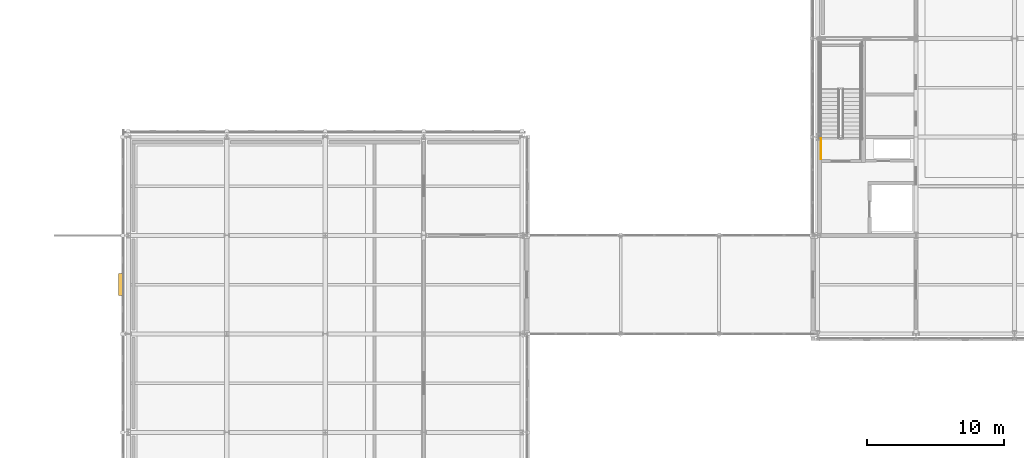
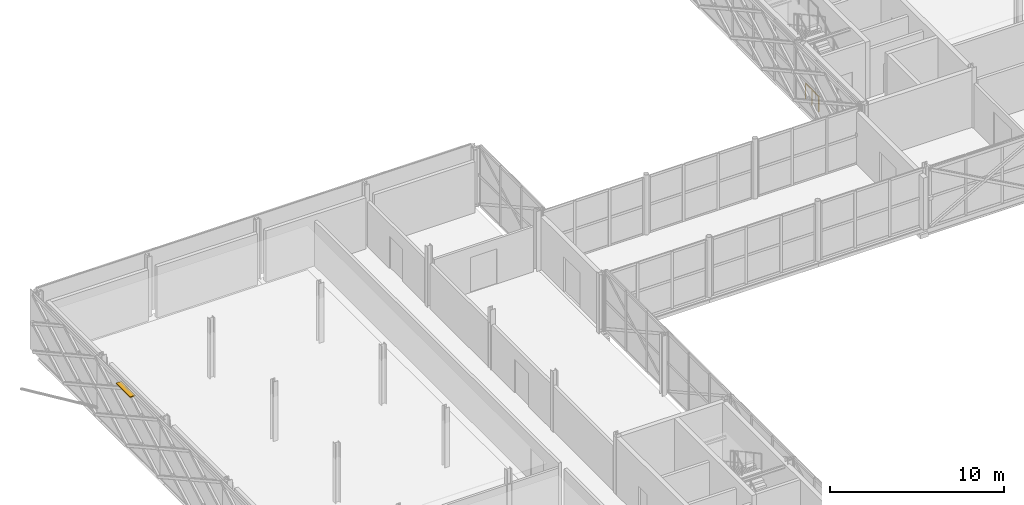
# One storey, part 141 of 146: 1 railing, 1 shading device.
"""IFC4 building model written with IfcOpenShell, lengths in metres."""

from ifc_helpers import new_model, si_unit, direction, frame, origin, origin_2d, place, context, subcontext, project, spatial, rectangle, circle, extrude, material, type_object, element, save


model = new_model("IFC4")

# Units and contexts
model_context = context("Model", 3, precision=1e-05, world=origin(), true_north=direction((0.0, 1.0)))
body_context = subcontext(model_context, "Body", "Model", "MODEL_VIEW")
ifc_project = project(units=[si_unit("LENGTHUNIT", "METRE"), si_unit("AREAUNIT", "SQUARE_METRE"), si_unit("VOLUMEUNIT", "CUBIC_METRE"), si_unit("PLANEANGLEUNIT", "RADIAN"), si_unit("MASSUNIT", "GRAM", prefix="KILO")], contexts=[model_context])

# Site, building, storey
site_placement = place(None, origin())
site = spatial("IfcSite", under=ifc_project, at=site_placement, CompositionType="ELEMENT")
building_placement = place(site_placement, origin())
building = spatial("IfcBuilding", under=site, at=building_placement, Name="Zlatovets Crest Museum", CompositionType="ELEMENT")
storey_placement = place(building_placement, frame((0.0, 0.0, 4.5)))
storey = spatial("IfcBuildingStorey", under=building, at=storey_placement, Name="L01", CompositionType="ELEMENT", Elevation=4.5)

# Railing
ifc_material_1 = material(Name="Painted steel safety guardrail", Category="steel")
railing_type = type_object("IfcRailingType", Name="StairGuard_SG01", PredefinedType="GUARDRAIL", material=ifc_material_1)
railing_placement = place(storey_placement, frame((57.85009765625, 99.199951171875, 0.0)))
element("IfcRailing", 1, at=railing_placement, inside=storey, type_object=railing_type, Name="L01 ST1 stair guard 8", PredefinedType="GUARDRAIL", context=body_context, shape_type="SweptSolid", body=[
    extrude(circle(Radius=0.02392578125, at=origin_2d()), frame((0.0, 0.0, 1.076171875), z_axis=(0.0, 1.0, 0.0), x_axis=(-1.0, 0.0, 0.0)), (0.0, 0.0, 1.0), 1.5),
    extrude(circle(Radius=0.02099609375, at=origin_2d()), origin(), (0.0, 0.0, 1.0), 1.052001953125),
    extrude(circle(Radius=0.02099609375, at=origin_2d()), frame((0.0, 0.75, 0.0)), (0.0, 0.0, 1.0), 1.052001953125),
    extrude(circle(Radius=0.02099609375, at=origin_2d()), frame((0.0, 1.5, 0.0)), (0.0, 0.0, 1.0), 1.052001953125),
])

# Shading device
ifc_material_2 = material(Name="Patinated bronze solar-control louvre", Category="aluminium")
shading_device_type = type_object("IfcShadingDeviceType", Name="SunLouvre_SL01", PredefinedType="JALOUSIE", material=ifc_material_2)
shading_device_placement = place(storey_placement, frame((6.659912109375, 90.0, 4.010009765625), z_axis=(0.0, 0.0, 1.0), x_axis=(0.0, 1.0, 0.0)))
element("IfcShadingDevice", 2, at=shading_device_placement, inside=storey, type_object=shading_device_type, Name="Bronze Solar-Control Louvre Hood", PredefinedType="JALOUSIE", context=body_context, shape_type="SweptSolid", body=[
    extrude(rectangle(XDim=1.60009765625, YDim=0.35009765625, at=origin_2d()), origin(), (0.0, 0.0, 1.0), 0.080078125),
])

save(model, "model.ifc")
